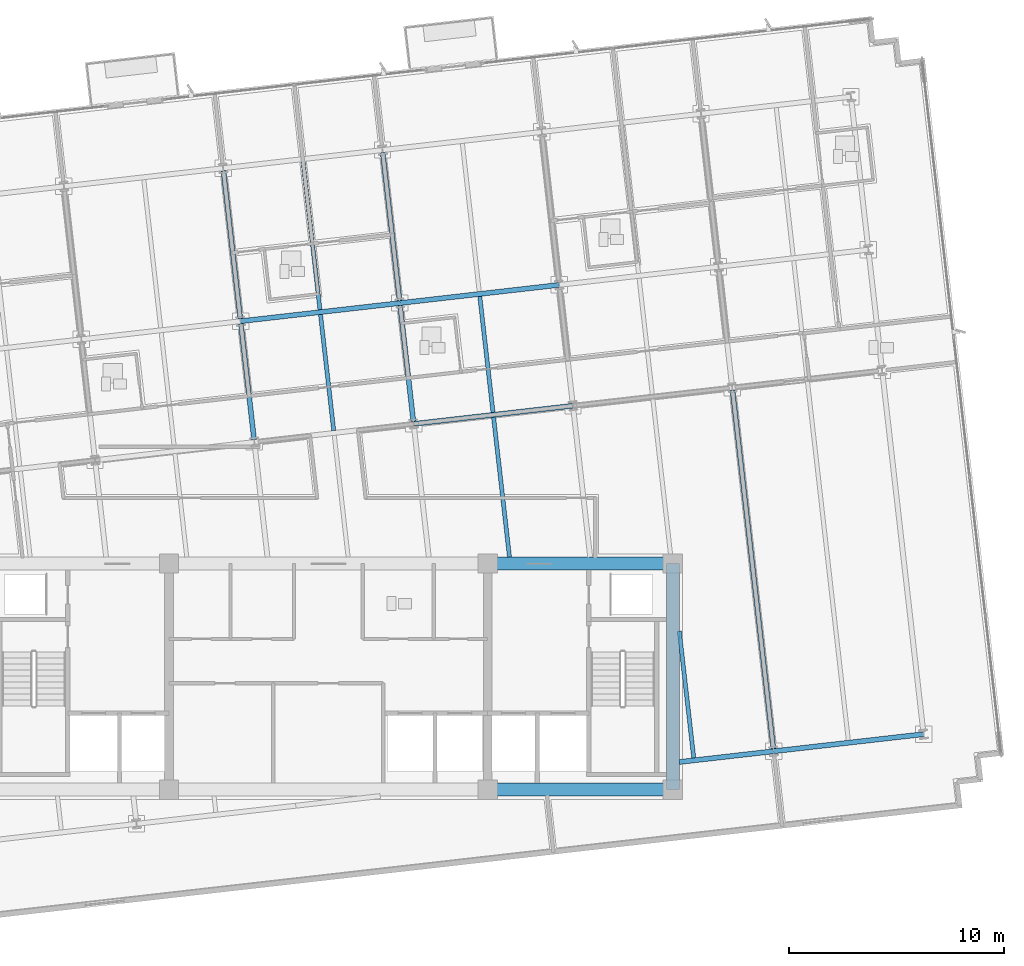
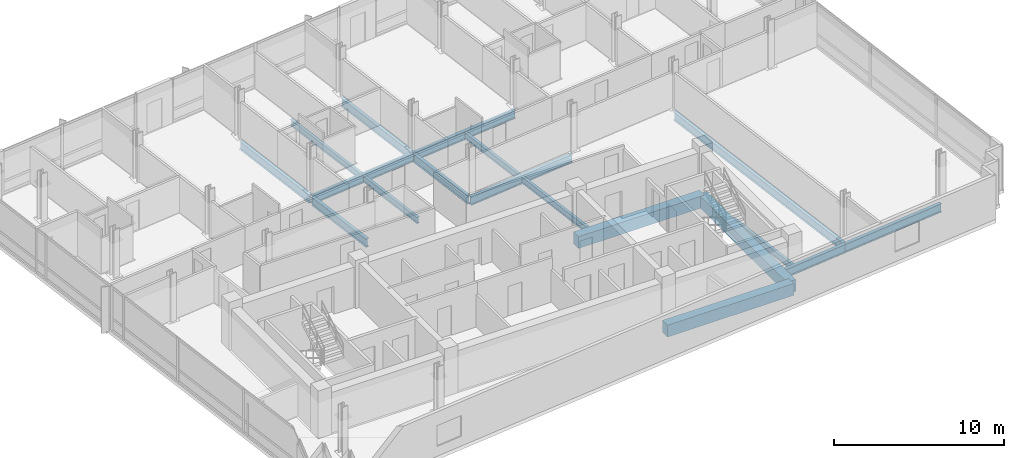
# One storey, part 3 of 17: 18 beams.
"""IFC4 building model written with IfcOpenShell, lengths in metres."""

from ifc_helpers import new_model, si_unit, direction, frame, origin, origin_2d, place, context, subcontext, project, spatial, rectangle, i_section, extrude, material, material_profile, profile_set, type_object, element, save


model = new_model("IFC4")

# Units and contexts
model_context = context("Model", 3, precision=1e-05, world=origin(), true_north=direction((0.0, 1.0)))
body_context = subcontext(model_context, "Body", "Model", "MODEL_VIEW")
ifc_project = project(units=[si_unit("LENGTHUNIT", "METRE"), si_unit("AREAUNIT", "SQUARE_METRE"), si_unit("VOLUMEUNIT", "CUBIC_METRE"), si_unit("PLANEANGLEUNIT", "RADIAN"), si_unit("MASSUNIT", "GRAM", prefix="KILO")], contexts=[model_context])

# Site, building, storey
site_placement = place(None, origin())
site = spatial("IfcSite", under=ifc_project, at=site_placement, CompositionType="ELEMENT")
building_placement = place(site_placement, origin())
building = spatial("IfcBuilding", under=site, at=building_placement, Name="Solmavex Isthmus Hotel", CompositionType="ELEMENT")
storey_placement = place(building_placement, frame((0.0, 0.0, 195.14990234375)))
storey = spatial("IfcBuildingStorey", under=building, at=storey_placement, Name="L52", CompositionType="ELEMENT", Elevation=195.14990234375)

# Beams
ifc_material_1 = material(Name="Steel ASTM A992 Grade 50", Category="steel")
ifc_material_profile_1 = material_profile(ifc_material_1, i_section(OverallWidth=0.1904296875, OverallDepth=0.456787109375, WebThickness=0.009033203125, FlangeThickness=0.014404296875, FilletRadius=0.0126953125, at=origin_2d()), Name="W18X50")
ifc_profile_set_1 = profile_set([ifc_material_profile_1], Name="Steel ASTM A992 Grade 50")
beam_type_1 = type_object("IfcBeamType", Name="BM-BJ-W18X50", PredefinedType="JOIST", material=ifc_profile_set_1)
beam_1_placement = place(storey_placement, frame((0.250244140625, 3.67822265625, -0.48828125), z_axis=(-0.113194691868, 0.993572826587, 0.0), x_axis=(-0.993572826587, -0.113194691868, 0.0)))
element("IfcBeam", 1, at=beam_1_placement, inside=storey, type_object=beam_type_1, Name="Secondary Floor Joist L52-J10", PredefinedType="JOIST", context=body_context, shape_type="SweptSolid", body=[
    extrude(i_section(OverallWidth=0.1904296875, OverallDepth=0.456787109375, WebThickness=0.009033203125, FlangeThickness=0.014404296875, FilletRadius=0.0126953125, at=origin_2d()), origin(), (0.0, 0.0, 1.0), 5.420166015625),
])
beam_2_placement = place(storey_placement, frame((-0.38916015625, 9.289794921875, -0.48828125), z_axis=(-0.113202453846, 0.993571942258, 0.0), x_axis=(-0.993571942258, -0.113202453846, 0.0)))
element("IfcBeam", 2, at=beam_2_placement, inside=storey, type_object=beam_type_1, Name="Secondary Floor Joist L52-J11", PredefinedType="JOIST", context=body_context, shape_type="SweptSolid", body=[
    extrude(i_section(OverallWidth=0.1904296875, OverallDepth=0.456787109375, WebThickness=0.009033203125, FlangeThickness=0.014404296875, FilletRadius=0.0126953125, at=origin_2d()), origin(), (0.0, 0.0, 1.0), 6.9228515625),
])
beam_3_placement = place(storey_placement, frame((8.414306640625, -2.199951171875, -0.48828125), z_axis=(-0.113206345873, 0.993571498813, 0.0), x_axis=(-0.993571498813, -0.113206345873, 0.0)))
element("IfcBeam", 3, at=beam_3_placement, inside=storey, type_object=beam_type_1, Name="Secondary Floor Joist L52-J12", PredefinedType="JOIST", context=body_context, shape_type="SweptSolid", body=[
    extrude(i_section(OverallWidth=0.1904296875, OverallDepth=0.456787109375, WebThickness=0.009033203125, FlangeThickness=0.014404296875, FilletRadius=0.0126953125, at=origin_2d()), origin(), (0.0, 0.0, 1.0), 6.53662109375),
])
beam_4_placement = place(storey_placement, frame((7.6484375, 4.521240234375, -0.48828125), z_axis=(-0.113194691868, 0.993572826587, 0.0), x_axis=(-0.993572826587, -0.113194691868, 0.0)))
element("IfcBeam", 4, at=beam_4_placement, inside=storey, type_object=beam_type_1, Name="Secondary Floor Joist L52-J13", PredefinedType="JOIST", context=body_context, shape_type="SweptSolid", body=[
    extrude(i_section(OverallWidth=0.1904296875, OverallDepth=0.456787109375, WebThickness=0.009033203125, FlangeThickness=0.014404296875, FilletRadius=0.0126953125, at=origin_2d()), origin(), (0.0, 0.0, 1.0), 5.420166015625),
])
beam_5_placement = place(storey_placement, frame((16.970947265625, -11.525390625, -0.48828125), z_axis=(-0.113202687678, 0.993571915617, 0.0), x_axis=(-0.993571915617, -0.113202687678, 0.0)))
element("IfcBeam", 5, at=beam_5_placement, inside=storey, type_object=beam_type_1, Name="Secondary Floor Joist L52-J15", PredefinedType="JOIST", context=body_context, shape_type="SweptSolid", body=[
    extrude(i_section(OverallWidth=0.1904296875, OverallDepth=0.456787109375, WebThickness=0.009033203125, FlangeThickness=0.014404296875, FilletRadius=0.0126953125, at=origin_2d()), origin(), (0.0, 0.0, 1.0), 5.926513671875),
])
ifc_material_profile_2 = material_profile(ifc_material_1, i_section(OverallWidth=0.227783203125, OverallDepth=0.602783203125, WebThickness=0.010498046875, FlangeThickness=0.014892578125, FilletRadius=0.01513671875, at=origin_2d()), Name="W24X68")
ifc_profile_set_2 = profile_set([ifc_material_profile_2], Name="Steel ASTM A992 Grade 50")
beam_type_2 = type_object("IfcBeamType", Name="BM-BM-W24X68", PredefinedType="BEAM", material=ifc_profile_set_2)
for number, where, z_axis, x_axis, name in (
    (6, (3.962158203125, 3.986572265625, -0.561279296875), (0.993574034044, 0.113184092846, 0.0), (-0.113184092846, 0.993574034044, 0.0), "Floor Girder L52-UG09"),
    (7, (-4.0751953125, 8.75537109375, -0.561279296875), (0.993574034044, 0.113184092846, 0.0), (-0.113184092846, 0.993574034044, 0.0), "Floor Girder L52-UG14"),
):
    element("IfcBeam", number, at=place(storey_placement, frame(where, z_axis=z_axis, x_axis=x_axis)), inside=storey, type_object=beam_type_2, Name=name, PredefinedType="BEAM", context=body_context, shape_type="SweptSolid", body=[
        extrude(i_section(OverallWidth=0.227783203125, OverallDepth=0.602783203125, WebThickness=0.010498046875, FlangeThickness=0.014892578125, FilletRadius=0.01513671875, at=origin_2d()), origin(), (0.0, 0.0, 1.0), 7.446044921875),
    ])
beam_6_placement = place(storey_placement, frame((3.322998046875, 9.59814453125, -0.561279296875), z_axis=(0.993569926006, 0.113220148984, 0.0), x_axis=(-0.113220148984, 0.993569926006, 0.0)))
element("IfcBeam", 8, at=beam_6_placement, inside=storey, type_object=beam_type_2, Name="Floor Girder L52-UG15", PredefinedType="BEAM", context=body_context, shape_type="SweptSolid", body=[
    extrude(i_section(OverallWidth=0.227783203125, OverallDepth=0.602783203125, WebThickness=0.010498046875, FlangeThickness=0.014892578125, FilletRadius=0.01513671875, at=origin_2d()), origin(), (0.0, 0.0, 1.0), 7.44580078125),
])
beam_7_placement = place(storey_placement, frame((-3.44873046875, 3.2568359375, -0.561279296875), z_axis=(-0.113194691868, 0.993572826587, 0.0), x_axis=(-0.993572826587, -0.113194691868, 0.0)))
element("IfcBeam", 9, at=beam_7_placement, inside=storey, type_object=beam_type_2, Name="Floor Beam L52-VG32", PredefinedType="BEAM", context=body_context, shape_type="SweptSolid", body=[
    extrude(i_section(OverallWidth=0.227783203125, OverallDepth=0.602783203125, WebThickness=0.010498046875, FlangeThickness=0.014892578125, FilletRadius=0.01513671875, at=origin_2d()), origin(), (0.0, 0.0, 1.0), 5.420166015625),
])
beam_8_placement = place(storey_placement, frame((-4.088134765625, 8.868408203125, -0.561279296875), z_axis=(-0.113202453846, 0.993571942258, 0.0), x_axis=(-0.993571942258, -0.113202453846, 0.0)))
element("IfcBeam", 10, at=beam_8_placement, inside=storey, type_object=beam_type_2, Name="Floor Beam L52-VG33", PredefinedType="BEAM", context=body_context, shape_type="SweptSolid", body=[
    extrude(i_section(OverallWidth=0.227783203125, OverallDepth=0.602783203125, WebThickness=0.010498046875, FlangeThickness=0.014892578125, FilletRadius=0.01513671875, at=origin_2d()), origin(), (0.0, 0.0, 1.0), 6.9228515625),
])
beam_9_placement = place(storey_placement, frame((3.949462890625, 4.099609375, -0.561279296875), z_axis=(-0.113234090386, 0.993568337244, 0.0), x_axis=(-0.993568337244, -0.113234090386, 0.0)))
element("IfcBeam", 11, at=beam_9_placement, inside=storey, type_object=beam_type_2, Name="Floor Beam L52-VG35", PredefinedType="BEAM", context=body_context, shape_type="SweptSolid", body=[
    extrude(i_section(OverallWidth=0.227783203125, OverallDepth=0.602783203125, WebThickness=0.010498046875, FlangeThickness=0.014892578125, FilletRadius=0.01513671875, at=origin_2d()), origin(), (0.0, 0.0, 1.0), 5.42041015625),
])
beam_10_placement = place(storey_placement, frame((3.31005859375, 9.71142578125, -0.561279296875), z_axis=(-0.113202453846, 0.993571942258, 0.0), x_axis=(-0.993571942258, -0.113202453846, 0.0)))
element("IfcBeam", 12, at=beam_10_placement, inside=storey, type_object=beam_type_2, Name="Floor Beam L52-VG36", PredefinedType="BEAM", context=body_context, shape_type="SweptSolid", body=[
    extrude(i_section(OverallWidth=0.227783203125, OverallDepth=0.602783203125, WebThickness=0.010498046875, FlangeThickness=0.014892578125, FilletRadius=0.01513671875, at=origin_2d()), origin(), (0.0, 0.0, 1.0), 6.9228515625),
])
beam_11_placement = place(storey_placement, frame((20.669921875, -11.10400390625, -0.561279296875), z_axis=(-0.113198426291, 0.993572401129, 0.0), x_axis=(-0.993572401129, -0.113198426291, 0.0)))
element("IfcBeam", 13, at=beam_11_placement, inside=storey, type_object=beam_type_2, Name="Floor Beam L52-VG40", PredefinedType="BEAM", context=body_context, shape_type="SweptSolid", body=[
    extrude(i_section(OverallWidth=0.227783203125, OverallDepth=0.602783203125, WebThickness=0.010498046875, FlangeThickness=0.014892578125, FilletRadius=0.01513671875, at=origin_2d()), origin(), (0.0, 0.0, 1.0), 16.77099609375),
])
ifc_material_2 = material(Name="Concrete C50/60", Category="concrete")
ifc_material_profile_3 = material_profile(ifc_material_2, rectangle(XDim=0.60009765625, YDim=0.85009765625, at=origin_2d()), Name="RC600X850")
ifc_profile_set_3 = profile_set([ifc_material_profile_3], Name="Concrete C50/60")
beam_type_3 = type_object("IfcBeamType", Name="BM-CB-600X850", PredefinedType="BEAM", material=ifc_profile_set_3)
for number, where, z_axis, x_axis, name in (
    (14, (7.39990234375, -13.0, -0.684814453125), (1.0, 0.0, 0.0), (0.0, 1.0, 0.0), "Core Coupling Beam L52-CB3"),
    (15, (7.39990234375, -2.5, -0.684814453125), (1.0, 0.0, 0.0), (0.0, 1.0, 0.0), "Core Coupling Beam L52-CB6"),
):
    element("IfcBeam", number, at=place(storey_placement, frame(where, z_axis=z_axis, x_axis=x_axis)), inside=storey, type_object=beam_type_3, Name=name, PredefinedType="BEAM", context=body_context, shape_type="SweptSolid", body=[
        extrude(rectangle(XDim=0.60009765625, YDim=0.85009765625, at=origin_2d()), origin(), (0.0, 0.0, 1.0), 8.60009765625),
    ])
beam_12_placement = place(storey_placement, frame((16.0, -13.0, -0.684814453125), z_axis=(0.0, 1.0, 0.0), x_axis=(-1.0, 0.0, 0.0)))
element("IfcBeam", 16, at=beam_12_placement, inside=storey, type_object=beam_type_3, Name="Core Coupling Beam L52-CB8", PredefinedType="BEAM", context=body_context, shape_type="SweptSolid", body=[
    extrude(rectangle(XDim=0.60009765625, YDim=0.85009765625, at=origin_2d()), origin(), (0.0, 0.0, 1.0), 10.5),
])
ifc_material_profile_4 = material_profile(ifc_material_1, i_section(OverallWidth=0.230224609375, OverallDepth=0.617431640625, WebThickness=0.01318359375, FlangeThickness=0.022216796875, FilletRadius=0.01513671875, at=origin_2d()), Name="W24X94")
ifc_profile_set_4 = profile_set([ifc_material_profile_4], Name="Steel ASTM A992 Grade 50")
beam_type_4 = type_object("IfcBeamType", Name="BM-SP-W24X94", PredefinedType="SPANDREL", material=ifc_profile_set_4)
beam_13_placement = place(storey_placement, frame((16.300048828125, -11.7177734375, -0.568603515625), z_axis=(0.993574880398, 0.113176662976, 0.0), x_axis=(-0.113176662976, 0.993574880398, 0.0)))
element("IfcBeam", 17, at=beam_13_placement, inside=storey, type_object=beam_type_4, Name="Floor Girder L52-UG04", PredefinedType="SPANDREL", context=body_context, shape_type="SweptSolid", body=[
    extrude(i_section(OverallWidth=0.230224609375, OverallDepth=0.617431640625, WebThickness=0.01318359375, FlangeThickness=0.022216796875, FilletRadius=0.01513671875, at=origin_2d()), origin(), (0.0, 0.0, 1.0), 4.411376953125),
])
beam_14_placement = place(storey_placement, frame((20.68310546875, -11.218505859375, -0.568603515625), z_axis=(0.993569675103, 0.113222350774, 0.0), x_axis=(-0.113222350774, 0.993569675103, 0.0)))
element("IfcBeam", 18, at=beam_14_placement, inside=storey, type_object=beam_type_4, Name="Floor Girder L52-UG05", PredefinedType="SPANDREL", context=body_context, shape_type="SweptSolid", body=[
    extrude(i_section(OverallWidth=0.230224609375, OverallDepth=0.617431640625, WebThickness=0.01318359375, FlangeThickness=0.022216796875, FilletRadius=0.01513671875, at=origin_2d()), origin(), (0.0, 0.0, 1.0), 7.008056640625),
])

save(model, "model.ifc")
